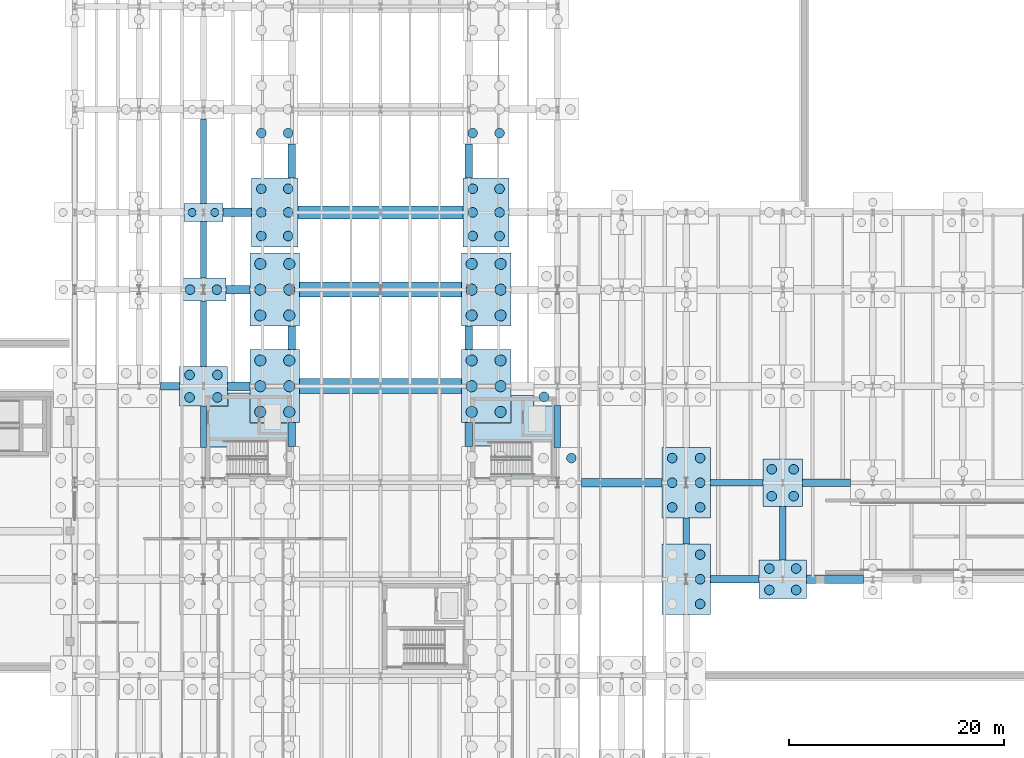
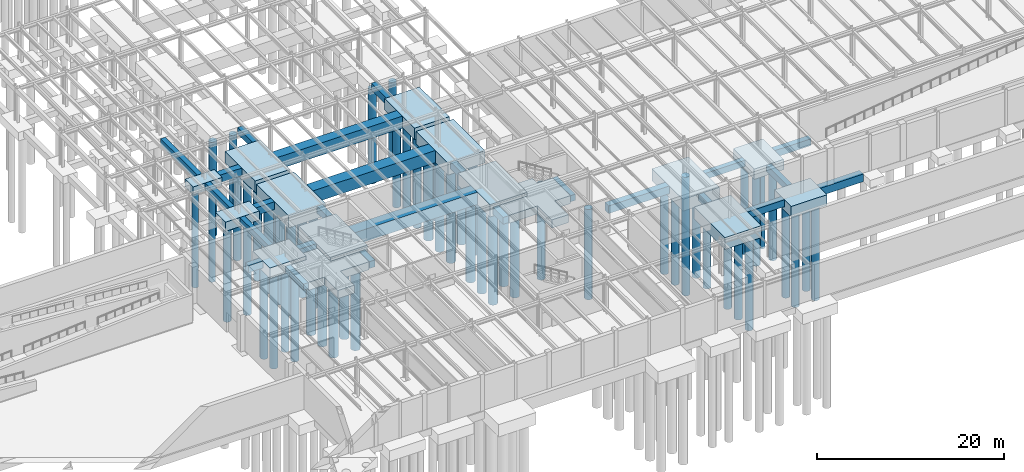
# One storey, part 4 of 59: 67 piles, 40 footings.
"""IFC4 building model written with IfcOpenShell, lengths in metres."""

from ifc_helpers import new_model, si_unit, direction, frame, origin, origin_2d, place, context, subcontext, project, spatial, polyline, rectangle, circle, outline, extrude, material, material_profile, profile_set, type_object, element, save


model = new_model("IFC4")

# Units and contexts
model_context = context("Model", 3, precision=1e-05, world=origin(), true_north=direction((0.0, 1.0)))
body_context = subcontext(model_context, "Body", "Model", "MODEL_VIEW")
ifc_project = project(units=[si_unit("LENGTHUNIT", "METRE"), si_unit("AREAUNIT", "SQUARE_METRE"), si_unit("VOLUMEUNIT", "CUBIC_METRE"), si_unit("PLANEANGLEUNIT", "RADIAN"), si_unit("MASSUNIT", "GRAM", prefix="KILO")], contexts=[model_context])

# Site, building, storey
site_placement = place(None, origin())
site = spatial("IfcSite", under=ifc_project, at=site_placement, CompositionType="ELEMENT")
building_placement = place(site_placement, origin())
building = spatial("IfcBuilding", under=site, at=building_placement, Name="Montealbar Specialist Clinic", CompositionType="ELEMENT")
storey_placement = place(building_placement, frame((0.0, 0.0, -4.800048828125)))
storey = spatial("IfcBuildingStorey", under=building, at=storey_placement, Name="B01", CompositionType="ELEMENT", Elevation=-4.800048828125)

# Footings
ifc_material = material(Name="Concrete C35/45", Category="concrete")
footing_type_1 = type_object("IfcFootingType", Name="FB-METRO-1200x1600", PredefinedType="FOOTING_BEAM", material=ifc_material)
footing_1_placement = place(storey_placement, frame((0.0, 0.0, -1.599853515625)))
element("IfcFooting", 1, at=footing_1_placement, inside=storey, type_object=footing_type_1, Name="Foundation Ground Beam FBX-748-902-522", PredefinedType="FOOTING_BEAM", context=body_context, shape_type="SweptSolid", body=[
    extrude(outline(polyline([(74.800048828125, 51.60009765625), (90.199951171875, 51.60009765625), (90.199951171875, 52.800048828125), (74.800048828125, 52.800048828125), (74.800048828125, 51.60009765625)])), origin(), (0.0, 0.0, 1.0), 1.599853515625),
])
footing_type_2 = type_object("IfcFootingType", Name="FB-METRO-1400x1600", PredefinedType="FOOTING_BEAM", material=ifc_material)
footing_2_placement = place(storey_placement, frame((0.0, 0.0, -1.599853515625)))
element("IfcFooting", 2, at=footing_2_placement, inside=storey, type_object=footing_type_2, Name="Foundation Ground Beam FBX-750-900-360", PredefinedType="FOOTING_BEAM", context=body_context, shape_type="SweptSolid", body=[
    extrude(outline(polyline([(74.949951171875, 35.300048828125), (90.050048828125, 35.300048828125), (90.050048828125, 36.699951171875), (74.949951171875, 36.699951171875), (74.949951171875, 35.300048828125)])), origin(), (0.0, 0.0, 1.0), 1.599853515625),
])
footing_3_placement = place(storey_placement, frame((0.0, 0.0, -1.599853515625)))
element("IfcFooting", 3, at=footing_3_placement, inside=storey, type_object=footing_type_2, Name="Foundation Ground Beam FBX-750-900-450", PredefinedType="FOOTING_BEAM", context=body_context, shape_type="SweptSolid", body=[
    extrude(outline(polyline([(74.949951171875, 44.300048828125), (90.050048828125, 44.300048828125), (90.050048828125, 45.699951171875), (74.949951171875, 45.699951171875), (74.949951171875, 44.300048828125)])), origin(), (0.0, 0.0, 1.0), 1.599853515625),
])
footing_type_3 = type_object("IfcFootingType", Name="FB-TIE-600x800", PredefinedType="FOOTING_BEAM", material=ifc_material)
footing_4_placement = place(storey_placement, frame((0.0, 0.0, -1.25)))
element("IfcFooting", 4, at=footing_4_placement, inside=storey, type_object=footing_type_3, Name="Foundation Ground Beam FBX-1132-1182-270", PredefinedType="FOOTING_BEAM", context=body_context, shape_type="SweptSolid", body=[
    extrude(outline(polyline([(113.25, 26.699951171875), (118.175048828125, 26.699951171875), (118.175048828125, 27.300048828125), (113.25, 27.300048828125), (113.25, 26.699951171875)])), origin(), (0.0, 0.0, 1.0), 0.800048828125),
])
footing_5_placement = place(storey_placement, frame((0.0, 0.0, -1.25)))
element("IfcFooting", 5, at=footing_5_placement, inside=storey, type_object=footing_type_3, Name="Foundation Tie Beam FBY-660-303-342", PredefinedType="FOOTING_BEAM", context=body_context, shape_type="SweptSolid", body=[
    extrude(outline(polyline([(65.699951171875, 30.300048828125), (66.300048828125, 30.300048828125), (66.300048828125, 34.14990234375), (65.699951171875, 34.14990234375), (65.699951171875, 30.300048828125)])), origin(), (0.0, 0.0, 1.0), 0.800048828125),
])
footing_6_placement = place(storey_placement, frame((0.0, 0.0, -0.800048828125)))
element("IfcFooting", 6, at=footing_6_placement, inside=storey, type_object=footing_type_3, Name="Foundation Tie Beam FBY-660-378-439", PredefinedType="FOOTING_BEAM", context=body_context, shape_type="SweptSolid", body=[
    extrude(outline(polyline([(65.699951171875, 37.85009765625), (66.300048828125, 37.85009765625), (66.300048828125, 43.925048828125), (65.699951171875, 43.925048828125), (65.699951171875, 37.85009765625)])), origin(), (0.0, 0.0, 1.0), 0.800048828125),
])
footing_7_placement = place(storey_placement, frame((0.0, 0.0, -0.800048828125)))
element("IfcFooting", 7, at=footing_7_placement, inside=storey, type_object=footing_type_3, Name="Foundation Tie Beam FBY-660-461-514", PredefinedType="FOOTING_BEAM", context=body_context, shape_type="SweptSolid", body=[
    extrude(outline(polyline([(65.699951171875, 46.074951171875), (66.300048828125, 46.074951171875), (66.300048828125, 51.35009765625), (65.699951171875, 51.35009765625), (65.699951171875, 46.074951171875)])), origin(), (0.0, 0.0, 1.0), 0.800048828125),
])
footing_8_placement = place(storey_placement, frame((0.0, 0.0, -0.800048828125)))
element("IfcFooting", 8, at=footing_8_placement, inside=storey, type_object=footing_type_3, Name="Foundation Tie Beam FBY-660-530-609", PredefinedType="FOOTING_BEAM", context=body_context, shape_type="SweptSolid", body=[
    extrude(outline(polyline([(65.699951171875, 53.050048828125), (66.300048828125, 53.050048828125), (66.300048828125, 60.89990234375), (65.699951171875, 60.89990234375), (65.699951171875, 53.050048828125)])), origin(), (0.0, 0.0, 1.0), 0.800048828125),
])
footing_9_placement = place(storey_placement, frame((0.0, 0.0, -1.25)))
element("IfcFooting", 9, at=footing_9_placement, inside=storey, type_object=footing_type_3, Name="Foundation Tie Beam FBY-990-303-342", PredefinedType="FOOTING_BEAM", context=body_context, shape_type="SweptSolid", body=[
    extrude(outline(polyline([(98.699951171875, 30.300048828125), (99.300048828125, 30.300048828125), (99.300048828125, 34.199951171875), (98.699951171875, 34.199951171875), (98.699951171875, 30.300048828125)])), origin(), (0.0, 0.0, 1.0), 0.800048828125),
])
footing_10_placement = place(storey_placement, frame((0.0, 0.0, -1.25)))
element("IfcFooting", 10, at=footing_10_placement, inside=storey, type_object=footing_type_3, Name="Foundation Tie Beam FBY-1110-213-237", PredefinedType="FOOTING_BEAM", context=body_context, shape_type="SweptSolid", body=[
    extrude(outline(polyline([(110.699951171875, 21.300048828125), (111.300048828125, 21.300048828125), (111.300048828125, 23.699951171875), (110.699951171875, 23.699951171875), (110.699951171875, 21.300048828125)])), origin(), (0.0, 0.0, 1.0), 0.800048828125),
])
footing_11_placement = place(storey_placement, frame((0.0, 0.0, -1.25)))
element("IfcFooting", 11, at=footing_11_placement, inside=storey, type_object=footing_type_3, Name="Foundation Tie Beam FBY-1200-198-248", PredefinedType="FOOTING_BEAM", context=body_context, shape_type="SweptSolid", body=[
    extrude(outline(polyline([(119.699951171875, 19.800048828125), (120.300048828125, 19.800048828125), (120.300048828125, 24.77490234375), (119.699951171875, 24.77490234375), (119.699951171875, 19.800048828125)])), origin(), (0.0, 0.0, 1.0), 0.800048828125),
])
footing_type_4 = type_object("IfcFootingType", Name="FB-TIE-700x900", PredefinedType="FOOTING_BEAM", material=ifc_material)
footing_12_placement = place(storey_placement, frame((0.0, 0.0, -0.89990234375)))
element("IfcFooting", 12, at=footing_12_placement, inside=storey, type_object=footing_type_4, Name="Foundation Ground Beam FBX-1132-1178-180", PredefinedType="FOOTING_BEAM", context=body_context, shape_type="SweptSolid", body=[
    extrude(outline(polyline([(113.25, 17.64990234375), (117.800048828125, 17.64990234375), (117.800048828125, 18.35009765625), (113.25, 18.35009765625), (113.25, 17.64990234375)])), origin(), (0.0, 0.0, 1.0), 0.89990234375),
])
footing_13_placement = place(storey_placement, frame((0.0, 0.0, -1.349853515625)))
element("IfcFooting", 13, at=footing_13_placement, inside=storey, type_object=footing_type_4, Name="Foundation Ground Beam FBX-1218-1263-270", PredefinedType="FOOTING_BEAM", context=body_context, shape_type="SweptSolid", body=[
    extrude(outline(polyline([(121.824951171875, 26.64990234375), (126.300048828125, 26.64990234375), (126.300048828125, 27.35009765625), (121.824951171875, 27.35009765625), (121.824951171875, 26.64990234375)])), origin(), (0.0, 0.0, 1.0), 0.89990234375),
])
footing_14_placement = place(storey_placement, frame((0.0, 0.0, -0.89990234375)))
element("IfcFooting", 14, at=footing_14_placement, inside=storey, type_object=footing_type_4, Name="Foundation Ground Beam FBX-620-638-360", PredefinedType="FOOTING_BEAM", context=body_context, shape_type="SweptSolid", body=[
    extrude(outline(polyline([(62.0, 35.64990234375), (63.75, 35.64990234375), (63.75, 36.35009765625), (62.0, 36.35009765625), (62.0, 35.64990234375)])), origin(), (0.0, 0.0, 1.0), 0.89990234375),
])
footing_15_placement = place(storey_placement, frame((0.0, 0.0, -1.349853515625)))
element("IfcFooting", 15, at=footing_15_placement, inside=storey, type_object=footing_type_4, Name="Foundation Tie Beam FBY-742-304-326", PredefinedType="FOOTING_BEAM", context=body_context, shape_type="SweptSolid", body=[
    extrude(outline(polyline([(73.89990234375, 30.39990234375), (74.60009765625, 30.39990234375), (74.60009765625, 32.60009765625), (73.89990234375, 32.60009765625), (73.89990234375, 30.39990234375)])), origin(), (0.0, 0.0, 1.0), 0.89990234375),
])
footing_16_placement = place(storey_placement, frame((0.0, 0.0, -0.89990234375)))
element("IfcFooting", 16, at=footing_16_placement, inside=storey, type_object=footing_type_4, Name="Foundation Tie Beam FBY-742-394-416", PredefinedType="FOOTING_BEAM", context=body_context, shape_type="SweptSolid", body=[
    extrude(outline(polyline([(73.89990234375, 39.39990234375), (74.60009765625, 39.39990234375), (74.60009765625, 41.60009765625), (73.89990234375, 41.60009765625), (73.89990234375, 39.39990234375)])), origin(), (0.0, 0.0, 1.0), 0.89990234375),
])
footing_17_placement = place(storey_placement, frame((0.0, 0.0, -0.89990234375)))
element("IfcFooting", 17, at=footing_17_placement, inside=storey, type_object=footing_type_4, Name="Foundation Tie Beam FBY-742-554-586", PredefinedType="FOOTING_BEAM", context=body_context, shape_type="SweptSolid", body=[
    extrude(outline(polyline([(73.89990234375, 55.39990234375), (74.60009765625, 55.39990234375), (74.60009765625, 58.60009765625), (73.89990234375, 58.60009765625), (73.89990234375, 55.39990234375)])), origin(), (0.0, 0.0, 1.0), 0.89990234375),
])
footing_18_placement = place(storey_placement, frame((0.0, 0.0, -1.349853515625)))
element("IfcFooting", 18, at=footing_18_placement, inside=storey, type_object=footing_type_4, Name="Foundation Tie Beam FBY-908-304-326", PredefinedType="FOOTING_BEAM", context=body_context, shape_type="SweptSolid", body=[
    extrude(outline(polyline([(90.39990234375, 30.39990234375), (91.10009765625, 30.39990234375), (91.10009765625, 32.60009765625), (90.39990234375, 32.60009765625), (90.39990234375, 30.39990234375)])), origin(), (0.0, 0.0, 1.0), 0.89990234375),
])
footing_19_placement = place(storey_placement, frame((0.0, 0.0, -0.89990234375)))
element("IfcFooting", 19, at=footing_19_placement, inside=storey, type_object=footing_type_4, Name="Foundation Tie Beam FBY-908-394-416", PredefinedType="FOOTING_BEAM", context=body_context, shape_type="SweptSolid", body=[
    extrude(outline(polyline([(90.39990234375, 39.39990234375), (91.10009765625, 39.39990234375), (91.10009765625, 41.60009765625), (90.39990234375, 41.60009765625), (90.39990234375, 39.39990234375)])), origin(), (0.0, 0.0, 1.0), 0.89990234375),
])
footing_20_placement = place(storey_placement, frame((0.0, 0.0, -0.89990234375)))
element("IfcFooting", 20, at=footing_20_placement, inside=storey, type_object=footing_type_4, Name="Foundation Tie Beam FBY-908-554-586", PredefinedType="FOOTING_BEAM", context=body_context, shape_type="SweptSolid", body=[
    extrude(outline(polyline([(90.39990234375, 55.39990234375), (91.10009765625, 55.39990234375), (91.10009765625, 58.60009765625), (90.39990234375, 58.60009765625), (90.39990234375, 55.39990234375)])), origin(), (0.0, 0.0, 1.0), 0.89990234375),
])
footing_type_5 = type_object("IfcFootingType", Name="FB-TIE-800x1000", PredefinedType="FOOTING_BEAM", material=ifc_material)
footing_21_placement = place(storey_placement, frame((0.0, 0.0, -1.0)))
element("IfcFooting", 21, at=footing_21_placement, inside=storey, type_object=footing_type_5, Name="Foundation Ground Beam FBX-1222-1275-180", PredefinedType="FOOTING_BEAM", context=body_context, shape_type="SweptSolid", body=[
    extrude(outline(polyline([(122.199951171875, 17.60009765625), (127.52490234375, 17.60009765625), (127.52490234375, 18.39990234375), (122.199951171875, 18.39990234375), (122.199951171875, 17.60009765625)])), origin(), (0.0, 0.0, 1.0), 1.0),
])
footing_22_placement = place(storey_placement, frame((0.0, 0.0, -1.449951171875)))
element("IfcFooting", 22, at=footing_22_placement, inside=storey, type_object=footing_type_5, Name="Foundation Ground Beam FBX-1012-1088-270", PredefinedType="FOOTING_BEAM", context=body_context, shape_type="SweptSolid", body=[
    extrude(outline(polyline([(101.25, 26.60009765625), (108.75, 26.60009765625), (108.75, 27.39990234375), (101.25, 27.39990234375), (101.25, 26.60009765625)])), origin(), (0.0, 0.0, 1.0), 1.0),
])
footing_23_placement = place(storey_placement, frame((0.0, 0.0, -1.0)))
element("IfcFooting", 23, at=footing_23_placement, inside=storey, type_object=footing_type_5, Name="Foundation Ground Beam FBX-682-704-360", PredefinedType="FOOTING_BEAM", context=body_context, shape_type="SweptSolid", body=[
    extrude(outline(polyline([(68.25, 35.60009765625), (70.35009765625, 35.60009765625), (70.35009765625, 36.39990234375), (68.25, 36.39990234375), (68.25, 35.60009765625)])), origin(), (0.0, 0.0, 1.0), 1.0),
])
footing_24_placement = place(storey_placement, frame((0.0, 0.0, -1.0)))
element("IfcFooting", 24, at=footing_24_placement, inside=storey, type_object=footing_type_5, Name="Foundation Ground Beam FBX-681-704-450", PredefinedType="FOOTING_BEAM", context=body_context, shape_type="SweptSolid", body=[
    extrude(outline(polyline([(68.10009765625, 44.60009765625), (70.35009765625, 44.60009765625), (70.35009765625, 45.39990234375), (68.10009765625, 45.39990234375), (68.10009765625, 44.60009765625)])), origin(), (0.0, 0.0, 1.0), 1.0),
])
footing_25_placement = place(storey_placement, frame((0.0, 0.0, -1.0)))
element("IfcFooting", 25, at=footing_25_placement, inside=storey, type_object=footing_type_5, Name="Foundation Ground Beam FBX-678-705-522", PredefinedType="FOOTING_BEAM", context=body_context, shape_type="SweptSolid", body=[
    extrude(outline(polyline([(67.800048828125, 51.800048828125), (70.5, 51.800048828125), (70.5, 52.60009765625), (67.800048828125, 52.60009765625), (67.800048828125, 51.800048828125)])), origin(), (0.0, 0.0, 1.0), 1.0),
])
footing_type_6 = type_object("IfcFootingType", Name="FT-CORE-STRIP", PredefinedType="STRIP_FOOTING", material=ifc_material)
footing_26_placement = place(storey_placement, frame((0.0, 0.0, -1.5)))
element("IfcFooting", 26, at=footing_26_placement, inside=storey, type_object=footing_type_6, Name="Strip Footing FT-CORE-C3-1", PredefinedType="STRIP_FOOTING", context=body_context, shape_type="SweptSolid", body=[
    extrude(outline(polyline([(68.280029296875, 35.35009765625), (70.320068359375, 35.35009765625), (70.320068359375, 32.570068359375), (73.8701171875, 32.570068359375), (73.8701171875, 30.429931640625), (70.320068359375, 30.429931640625), (70.320068359375, 27.429931640625), (68.280029296875, 27.429931640625), (68.280029296875, 30.330078125), (66.330078125, 30.330078125), (66.330078125, 34.1201171875), (68.280029296875, 34.1201171875), (68.280029296875, 35.35009765625)])), origin(), (0.0, 0.0, 1.0), 1.050048828125),
])
footing_27_placement = place(storey_placement, frame((0.0, 0.0, -1.5)))
element("IfcFooting", 27, at=footing_27_placement, inside=storey, type_object=footing_type_6, Name="Strip Footing FT-CORE-C5-1", PredefinedType="STRIP_FOOTING", context=body_context, shape_type="SweptSolid", body=[
    extrude(outline(polyline([(98.669921875, 34.169921875), (98.669921875, 30.330078125), (96.719970703125, 30.330078125), (96.719970703125, 27.3798828125), (94.679931640625, 27.3798828125), (94.679931640625, 30.429931640625), (91.1298828125, 30.429931640625), (91.1298828125, 32.570068359375), (94.679931640625, 32.570068359375), (94.679931640625, 35.14990234375), (96.77001953125, 35.14990234375), (96.77001953125, 34.169921875), (98.669921875, 34.169921875)])), origin(), (0.0, 0.0, 1.0), 1.050048828125),
])
footing_type_7 = type_object("IfcFootingType", Name="PC-2A", PredefinedType="PILE_CAP", material=ifc_material)
footing_28_placement = place(storey_placement, frame((66.0, 52.199951171875, -1.0), z_axis=(0.0, 0.0, 1.0), x_axis=(1.0, 0.0, 0.0)))
element("IfcFooting", 28, at=footing_28_placement, inside=storey, type_object=footing_type_7, Name="Pile Cap 9/G", PredefinedType="PILE_CAP", context=body_context, shape_type="SweptSolid", body=[
    extrude(rectangle(XDim=3.60009765625, YDim=1.699951171875, at=origin_2d()), origin(), (0.0, 0.0, 1.0), 1.0),
])
footing_type_8 = type_object("IfcFootingType", Name="PC-2H", PredefinedType="PILE_CAP", material=ifc_material)
footing_29_placement = place(storey_placement, frame((66.0, 45.0, -1.19970703125), z_axis=(0.0, 0.0, 1.0), x_axis=(1.0, 0.0, 0.0)))
element("IfcFooting", 29, at=footing_29_placement, inside=storey, type_object=footing_type_8, Name="Pile Cap 9/F", PredefinedType="PILE_CAP", context=body_context, shape_type="SweptSolid", body=[
    extrude(rectangle(XDim=4.199951171875, YDim=2.14990234375, at=origin_2d()), origin(), (0.0, 0.0, 1.0), 1.199951171875),
])
footing_type_9 = type_object("IfcFootingType", Name="PC-4G", PredefinedType="PILE_CAP", material=ifc_material)
footing_30_placement = place(storey_placement, frame((66.0, 36.0, -1.35009765625), z_axis=(0.0, 0.0, 1.0), x_axis=(1.0, 0.0, 0.0)))
element("IfcFooting", 30, at=footing_30_placement, inside=storey, type_object=footing_type_9, Name="Pile Cap 9/E", PredefinedType="PILE_CAP", context=body_context, shape_type="SweptSolid", body=[
    extrude(rectangle(XDim=4.5, YDim=3.699951171875, at=origin_2d()), origin(), (0.0, 0.0, 1.0), 1.35009765625),
])
footing_type_10 = type_object("IfcFootingType", Name="PC-4J", PredefinedType="PILE_CAP", material=ifc_material)
footing_31_placement = place(storey_placement, frame((120.0, 18.0, -1.39990234375), z_axis=(0.0, 0.0, 1.0), x_axis=(1.0, 0.0, 0.0)))
element("IfcFooting", 31, at=footing_31_placement, inside=storey, type_object=footing_type_10, Name="Pile Cap 16/C", PredefinedType="PILE_CAP", context=body_context, shape_type="SweptSolid", body=[
    extrude(rectangle(XDim=4.39990234375, YDim=3.60009765625, at=origin_2d()), origin(), (0.0, 0.0, 1.0), 1.39990234375),
])
footing_type_11 = type_object("IfcFootingType", Name="PC-4K", PredefinedType="PILE_CAP", material=ifc_material)
footing_32_placement = place(storey_placement, frame((120.0, 27.0, -1.800048828125), z_axis=(0.0, 0.0, 1.0), x_axis=(1.0, 0.0, 0.0)))
element("IfcFooting", 32, at=footing_32_placement, inside=storey, type_object=footing_type_11, Name="Pile Cap 16/D", PredefinedType="PILE_CAP", context=body_context, shape_type="SweptSolid", body=[
    extrude(rectangle(XDim=3.64990234375, YDim=4.449951171875, at=origin_2d()), origin(), (0.0, 0.0, 1.0), 1.35009765625),
])
footing_type_12 = type_object("IfcFootingType", Name="PC-6A", PredefinedType="PILE_CAP", material=ifc_material)
for number, where, z_axis, x_axis, name in (
    (33, (72.64990234375, 52.199951171875, -1.5), (0.0, 0.0, 1.0), (1.0, 0.0, 0.0), "Pile Cap 10/G"),
    (34, (92.35009765625, 52.199951171875, -1.5), (0.0, 0.0, 1.0), (1.0, 0.0, 0.0), "Pile Cap 12/G"),
):
    element("IfcFooting", number, at=place(storey_placement, frame(where, z_axis=z_axis, x_axis=x_axis)), inside=storey, type_object=footing_type_12, Name=name, PredefinedType="PILE_CAP", context=body_context, shape_type="SweptSolid", body=[
        extrude(rectangle(XDim=4.300048828125, YDim=6.39990234375, at=origin_2d()), origin(), (0.0, 0.0, 1.0), 1.5),
    ])
footing_type_13 = type_object("IfcFootingType", Name="PC-6C", PredefinedType="PILE_CAP", material=ifc_material)
for number, where, z_axis, x_axis, name in (
    (35, (72.64990234375, 36.0, -1.60009765625), (0.0, 0.0, 1.0), (1.0, 0.0, 0.0), "Pile Cap 10/E"),
    (36, (72.64990234375, 45.0, -1.60009765625), (0.0, 0.0, 1.0), (1.0, 0.0, 0.0), "Pile Cap 10/F"),
    (37, (92.35009765625, 36.0, -1.60009765625), (0.0, 0.0, 1.0), (1.0, 0.0, 0.0), "Pile Cap 12/E"),
    (38, (92.35009765625, 45.0, -1.60009765625), (0.0, 0.0, 1.0), (1.0, 0.0, 0.0), "Pile Cap 12/F"),
):
    element("IfcFooting", number, at=place(storey_placement, frame(where, z_axis=z_axis, x_axis=x_axis)), inside=storey, type_object=footing_type_13, Name=name, PredefinedType="PILE_CAP", context=body_context, shape_type="SweptSolid", body=[
        extrude(rectangle(XDim=4.60009765625, YDim=6.800048828125, at=origin_2d()), origin(), (0.0, 0.0, 1.0), 1.60009765625),
    ])
footing_type_14 = type_object("IfcFootingType", Name="PC-6D", PredefinedType="PILE_CAP", material=ifc_material)
for number, where, z_axis, x_axis, name in (
    (39, (111.0, 18.0, -1.5498046875), (0.0, 0.0, 1.0), (1.0, 0.0, 0.0), "Pile Cap 15/C"),
    (40, (111.0, 27.0, -2.0), (0.0, 0.0, 1.0), (1.0, 0.0, 0.0), "Pile Cap 15/D"),
):
    element("IfcFooting", number, at=place(storey_placement, frame(where, z_axis=z_axis, x_axis=x_axis)), inside=storey, type_object=footing_type_14, Name=name, PredefinedType="PILE_CAP", context=body_context, shape_type="SweptSolid", body=[
        extrude(rectangle(XDim=4.5, YDim=6.60009765625, at=origin_2d()), origin(), (0.0, 0.0, 1.0), 1.550048828125),
    ])

# Piles
ifc_material_profile_1 = material_profile(ifc_material, circle(Radius=0.52490234375, at=origin_2d()), Name="PILE D1050", Category="concrete")
ifc_profile_set_1 = profile_set([ifc_material_profile_1], Name="Concrete C35/45")
pile_type_1 = type_object("IfcPileType", Name="PILE-D1050", PredefinedType="BORED", material=ifc_profile_set_1)
for number, where, z_axis, x_axis, name in (
    (41, (71.300048828125, 33.60009765625, -1.5), (0.0, 0.0, -1.0), (1.0, 0.0, 0.0), "Bored Pile 10/E-P1"),
    (42, (74.0, 33.60009765625, -1.5), (0.0, 0.0, -1.0), (1.0, 0.0, 0.0), "Bored Pile 10/E-P2"),
    (43, (71.300048828125, 36.0, -1.5), (0.0, 0.0, -1.0), (1.0, 0.0, 0.0), "Bored Pile 10/E-P3"),
    (44, (74.0, 36.0, -1.5), (0.0, 0.0, -1.0), (1.0, 0.0, 0.0), "Bored Pile 10/E-P4"),
    (45, (71.300048828125, 38.39990234375, -1.5), (0.0, 0.0, -1.0), (1.0, 0.0, 0.0), "Bored Pile 10/E-P5"),
    (46, (74.0, 38.39990234375, -1.5), (0.0, 0.0, -1.0), (1.0, 0.0, 0.0), "Bored Pile 10/E-P6"),
    (47, (71.300048828125, 42.60009765625, -1.5), (0.0, 0.0, -1.0), (1.0, 0.0, 0.0), "Bored Pile 10/F-P1"),
    (48, (74.0, 42.60009765625, -1.5), (0.0, 0.0, -1.0), (1.0, 0.0, 0.0), "Bored Pile 10/F-P2"),
    (49, (71.300048828125, 45.0, -1.5), (0.0, 0.0, -1.0), (1.0, 0.0, 0.0), "Bored Pile 10/F-P3"),
    (50, (74.0, 45.0, -1.5), (0.0, 0.0, -1.0), (1.0, 0.0, 0.0), "Bored Pile 10/F-P4"),
    (51, (71.300048828125, 47.39990234375, -1.5), (0.0, 0.0, -1.0), (1.0, 0.0, 0.0), "Bored Pile 10/F-P5"),
    (52, (74.0, 47.39990234375, -1.5), (0.0, 0.0, -1.0), (1.0, 0.0, 0.0), "Bored Pile 10/F-P6"),
    (53, (91.0, 33.60009765625, -1.5), (0.0, 0.0, -1.0), (1.0, 0.0, 0.0), "Bored Pile 12/E-P1"),
    (54, (93.699951171875, 33.60009765625, -1.5), (0.0, 0.0, -1.0), (1.0, 0.0, 0.0), "Bored Pile 12/E-P2"),
    (55, (91.0, 36.0, -1.5), (0.0, 0.0, -1.0), (1.0, 0.0, 0.0), "Bored Pile 12/E-P3"),
    (56, (93.699951171875, 36.0, -1.5), (0.0, 0.0, -1.0), (1.0, 0.0, 0.0), "Bored Pile 12/E-P4"),
    (57, (91.0, 38.39990234375, -1.5), (0.0, 0.0, -1.0), (1.0, 0.0, 0.0), "Bored Pile 12/E-P5"),
    (58, (93.699951171875, 38.39990234375, -1.5), (0.0, 0.0, -1.0), (1.0, 0.0, 0.0), "Bored Pile 12/E-P6"),
    (59, (91.0, 42.60009765625, -1.5), (0.0, 0.0, -1.0), (1.0, 0.0, 0.0), "Bored Pile 12/F-P1"),
    (60, (93.699951171875, 42.60009765625, -1.5), (0.0, 0.0, -1.0), (1.0, 0.0, 0.0), "Bored Pile 12/F-P2"),
    (61, (91.0, 45.0, -1.5), (0.0, 0.0, -1.0), (1.0, 0.0, 0.0), "Bored Pile 12/F-P3"),
    (62, (93.699951171875, 45.0, -1.5), (0.0, 0.0, -1.0), (1.0, 0.0, 0.0), "Bored Pile 12/F-P4"),
    (63, (91.0, 47.39990234375, -1.5), (0.0, 0.0, -1.0), (1.0, 0.0, 0.0), "Bored Pile 12/F-P5"),
    (64, (93.699951171875, 47.39990234375, -1.5), (0.0, 0.0, -1.0), (1.0, 0.0, 0.0), "Bored Pile 12/F-P6"),
):
    element("IfcPile", number, at=place(storey_placement, frame(where, z_axis=z_axis, x_axis=x_axis)), inside=storey, type_object=pile_type_1, Name=name, PredefinedType="BORED", context=body_context, shape_type="SweptSolid", body=[
        extrude(circle(Radius=0.52490234375, at=origin_2d()), origin(), (0.0, 0.0, 1.0), 12.199951171875),
    ])
ifc_material_profile_2 = material_profile(ifc_material, circle(Radius=0.375, at=origin_2d()), Name="PILE D750", Category="concrete")
ifc_profile_set_2 = profile_set([ifc_material_profile_2], Name="Concrete C35/45")
pile_type_2 = type_object("IfcPileType", Name="PILE-D750", PredefinedType="BORED", material=ifc_profile_set_2)
for number, where, z_axis, x_axis, name in (
    (65, (64.949951171875, 52.199951171875, -0.89990234375), (0.0, 0.0, -1.0), (1.0, 0.0, 0.0), "Bored Pile 9/G-P1"),
    (66, (67.050048828125, 52.199951171875, -0.89990234375), (0.0, 0.0, -1.0), (1.0, 0.0, 0.0), "Bored Pile 9/G-P2"),
):
    element("IfcPile", number, at=place(storey_placement, frame(where, z_axis=z_axis, x_axis=x_axis)), inside=storey, type_object=pile_type_2, Name=name, PredefinedType="BORED", context=body_context, shape_type="SweptSolid", body=[
        extrude(circle(Radius=0.375, at=origin_2d()), origin(), (0.0, 0.0, 1.0), 12.800048828125),
    ])
ifc_material_profile_3 = material_profile(ifc_material, circle(Radius=0.449951171875, at=origin_2d()), Name="PILE D900", Category="concrete")
ifc_profile_set_3 = profile_set([ifc_material_profile_3], Name="Concrete C35/45")
pile_type_3 = type_object("IfcPileType", Name="PILE-D900", PredefinedType="BORED", material=ifc_profile_set_3)
for number, where, z_axis, x_axis, name in (
    (67, (64.699951171875, 34.949951171875, -1.25), (0.0, 0.0, -1.0), (1.0, 0.0, 0.0), "Bored Pile 9/E-P1"),
    (68, (67.300048828125, 34.949951171875, -1.25), (0.0, 0.0, -1.0), (1.0, 0.0, 0.0), "Bored Pile 9/E-P2"),
    (69, (64.699951171875, 37.050048828125, -1.25), (0.0, 0.0, -1.0), (1.0, 0.0, 0.0), "Bored Pile 9/E-P3"),
    (70, (67.300048828125, 37.050048828125, -1.25), (0.0, 0.0, -1.0), (1.0, 0.0, 0.0), "Bored Pile 9/E-P4"),
):
    element("IfcPile", number, at=place(storey_placement, frame(where, z_axis=z_axis, x_axis=x_axis)), inside=storey, type_object=pile_type_3, Name=name, PredefinedType="BORED", context=body_context, shape_type="SweptSolid", body=[
        extrude(circle(Radius=0.449951171875, at=origin_2d()), origin(), (0.0, 0.0, 1.0), 12.449951171875),
    ])
for number, where, z_axis, x_axis, name in (
    (71, (64.75, 45.0, -1.099853515625), (0.0, 0.0, -1.0), (1.0, 0.0, 0.0), "Bored Pile 9/F-P1"),
    (72, (67.25, 45.0, -1.099853515625), (0.0, 0.0, -1.0), (1.0, 0.0, 0.0), "Bored Pile 9/F-P2"),
):
    element("IfcPile", number, at=place(storey_placement, frame(where, z_axis=z_axis, x_axis=x_axis)), inside=storey, type_object=pile_type_3, Name=name, PredefinedType="BORED", context=body_context, shape_type="SweptSolid", body=[
        extrude(circle(Radius=0.449951171875, at=origin_2d()), origin(), (0.0, 0.0, 1.0), 12.60009765625),
    ])
for number, where, z_axis, x_axis, name in (
    (73, (71.39990234375, 50.0, -1.39990234375), (0.0, 0.0, -1.0), (1.0, 0.0, 0.0), "Bored Pile 10/G-P1"),
    (74, (73.89990234375, 50.0, -1.39990234375), (0.0, 0.0, -1.0), (1.0, 0.0, 0.0), "Bored Pile 10/G-P2"),
    (75, (71.39990234375, 52.199951171875, -1.39990234375), (0.0, 0.0, -1.0), (1.0, 0.0, 0.0), "Bored Pile 10/G-P3"),
    (76, (73.89990234375, 52.199951171875, -1.39990234375), (0.0, 0.0, -1.0), (1.0, 0.0, 0.0), "Bored Pile 10/G-P4"),
    (77, (71.39990234375, 54.39990234375, -1.39990234375), (0.0, 0.0, -1.0), (1.0, 0.0, 0.0), "Bored Pile 10/G-P5"),
    (78, (73.89990234375, 54.39990234375, -1.39990234375), (0.0, 0.0, -1.0), (1.0, 0.0, 0.0), "Bored Pile 10/G-P6"),
    (79, (71.39990234375, 59.60009765625, -1.39990234375), (0.0, 0.0, -1.0), (1.0, 0.0, 0.0), "Bored Pile 10/H-P1"),
    (80, (73.89990234375, 59.60009765625, -1.39990234375), (0.0, 0.0, -1.0), (1.0, 0.0, 0.0), "Bored Pile 10/H-P2"),
    (81, (91.10009765625, 50.0, -1.39990234375), (0.0, 0.0, -1.0), (1.0, 0.0, 0.0), "Bored Pile 12/G-P1"),
    (82, (93.60009765625, 50.0, -1.39990234375), (0.0, 0.0, -1.0), (1.0, 0.0, 0.0), "Bored Pile 12/G-P2"),
    (83, (91.10009765625, 52.199951171875, -1.39990234375), (0.0, 0.0, -1.0), (1.0, 0.0, 0.0), "Bored Pile 12/G-P3"),
    (84, (93.60009765625, 52.199951171875, -1.39990234375), (0.0, 0.0, -1.0), (1.0, 0.0, 0.0), "Bored Pile 12/G-P4"),
    (85, (91.10009765625, 54.39990234375, -1.39990234375), (0.0, 0.0, -1.0), (1.0, 0.0, 0.0), "Bored Pile 12/G-P5"),
    (86, (93.60009765625, 54.39990234375, -1.39990234375), (0.0, 0.0, -1.0), (1.0, 0.0, 0.0), "Bored Pile 12/G-P6"),
    (87, (91.10009765625, 59.60009765625, -1.39990234375), (0.0, 0.0, -1.0), (1.0, 0.0, 0.0), "Bored Pile 12/H-P1"),
    (88, (93.60009765625, 59.60009765625, -1.39990234375), (0.0, 0.0, -1.0), (1.0, 0.0, 0.0), "Bored Pile 12/H-P2"),
):
    element("IfcPile", number, at=place(storey_placement, frame(where, z_axis=z_axis, x_axis=x_axis)), inside=storey, type_object=pile_type_3, Name=name, PredefinedType="BORED", context=body_context, shape_type="SweptSolid", body=[
        extrude(circle(Radius=0.449951171875, at=origin_2d()), origin(), (0.0, 0.0, 1.0), 12.300048828125),
    ])
pile_1_placement = place(storey_placement, frame((100.300048828125, 29.300048828125, -1.89990234375), z_axis=(0.0, 0.0, -1.0), x_axis=(1.0, 0.0, 0.0)))
element("IfcPile", 89, at=pile_1_placement, inside=storey, type_object=pile_type_3, Name="Bored Pile 13/D-P6", PredefinedType="BORED", context=body_context, shape_type="SweptSolid", body=[
    extrude(circle(Radius=0.449951171875, at=origin_2d()), origin(), (0.0, 0.0, 1.0), 11.800048828125),
])
pile_2_placement = place(storey_placement, frame((97.75, 35.0, -1.300048828125), z_axis=(0.0, 0.0, -1.0), x_axis=(1.0, 0.0, 0.0)))
element("IfcPile", 90, at=pile_2_placement, inside=storey, type_object=pile_type_3, Name="Bored Pile 13/E-P1", PredefinedType="BORED", context=body_context, shape_type="SweptSolid", body=[
    extrude(circle(Radius=0.449951171875, at=origin_2d()), origin(), (0.0, 0.0, 1.0), 12.39990234375),
])
for number, where, z_axis, x_axis, name in (
    (91, (112.300048828125, 15.699951171875, -1.449951171875), (0.0, 0.0, -1.0), (1.0, 0.0, 0.0), "Bored Pile 15/C-P2"),
    (92, (112.300048828125, 18.0, -1.449951171875), (0.0, 0.0, -1.0), (1.0, 0.0, 0.0), "Bored Pile 15/C-P4"),
    (93, (112.300048828125, 20.300048828125, -1.449951171875), (0.0, 0.0, -1.0), (1.0, 0.0, 0.0), "Bored Pile 15/C-P6"),
):
    element("IfcPile", number, at=place(storey_placement, frame(where, z_axis=z_axis, x_axis=x_axis)), inside=storey, type_object=pile_type_3, Name=name, PredefinedType="BORED", context=body_context, shape_type="SweptSolid", body=[
        extrude(circle(Radius=0.449951171875, at=origin_2d()), origin(), (0.0, 0.0, 1.0), 12.25),
    ])
for number, where, z_axis, x_axis, name in (
    (94, (109.699951171875, 24.699951171875, -1.89990234375), (0.0, 0.0, -1.0), (1.0, 0.0, 0.0), "Bored Pile 15/D-P1"),
    (95, (112.300048828125, 24.699951171875, -1.89990234375), (0.0, 0.0, -1.0), (1.0, 0.0, 0.0), "Bored Pile 15/D-P2"),
    (96, (109.699951171875, 27.0, -1.89990234375), (0.0, 0.0, -1.0), (1.0, 0.0, 0.0), "Bored Pile 15/D-P3"),
    (97, (112.300048828125, 27.0, -1.89990234375), (0.0, 0.0, -1.0), (1.0, 0.0, 0.0), "Bored Pile 15/D-P4"),
    (98, (109.699951171875, 29.300048828125, -1.89990234375), (0.0, 0.0, -1.0), (1.0, 0.0, 0.0), "Bored Pile 15/D-P5"),
    (99, (112.300048828125, 29.300048828125, -1.89990234375), (0.0, 0.0, -1.0), (1.0, 0.0, 0.0), "Bored Pile 15/D-P6"),
):
    element("IfcPile", number, at=place(storey_placement, frame(where, z_axis=z_axis, x_axis=x_axis)), inside=storey, type_object=pile_type_3, Name=name, PredefinedType="BORED", context=body_context, shape_type="SweptSolid", body=[
        extrude(circle(Radius=0.449951171875, at=origin_2d()), origin(), (0.0, 0.0, 1.0), 11.800048828125),
    ])
for number, where, z_axis, x_axis, name in (
    (100, (118.75, 17.0, -1.300048828125), (0.0, 0.0, -1.0), (1.0, 0.0, 0.0), "Bored Pile 16/C-P1"),
    (101, (121.25, 17.0, -1.300048828125), (0.0, 0.0, -1.0), (1.0, 0.0, 0.0), "Bored Pile 16/C-P2"),
    (102, (118.75, 19.0, -1.300048828125), (0.0, 0.0, -1.0), (1.0, 0.0, 0.0), "Bored Pile 16/C-P3"),
    (103, (121.25, 19.0, -1.300048828125), (0.0, 0.0, -1.0), (1.0, 0.0, 0.0), "Bored Pile 16/C-P4"),
):
    element("IfcPile", number, at=place(storey_placement, frame(where, z_axis=z_axis, x_axis=x_axis)), inside=storey, type_object=pile_type_3, Name=name, PredefinedType="BORED", context=body_context, shape_type="SweptSolid", body=[
        extrude(circle(Radius=0.449951171875, at=origin_2d()), origin(), (0.0, 0.0, 1.0), 12.39990234375),
    ])
for number, where, z_axis, x_axis, name in (
    (104, (118.97998046875, 25.75, -1.699951171875), (0.0, 0.0, -1.0), (1.0, 0.0, 0.0), "Bored Pile 16/D-P1"),
    (105, (121.02001953125, 25.75, -1.699951171875), (0.0, 0.0, -1.0), (1.0, 0.0, 0.0), "Bored Pile 16/D-P2"),
    (106, (118.97998046875, 28.25, -1.699951171875), (0.0, 0.0, -1.0), (1.0, 0.0, 0.0), "Bored Pile 16/D-P3"),
    (107, (121.02001953125, 28.25, -1.699951171875), (0.0, 0.0, -1.0), (1.0, 0.0, 0.0), "Bored Pile 16/D-P4"),
):
    element("IfcPile", number, at=place(storey_placement, frame(where, z_axis=z_axis, x_axis=x_axis)), inside=storey, type_object=pile_type_3, Name=name, PredefinedType="BORED", context=body_context, shape_type="SweptSolid", body=[
        extrude(circle(Radius=0.449951171875, at=origin_2d()), origin(), (0.0, 0.0, 1.0), 12.0),
    ])

save(model, "model.ifc")
